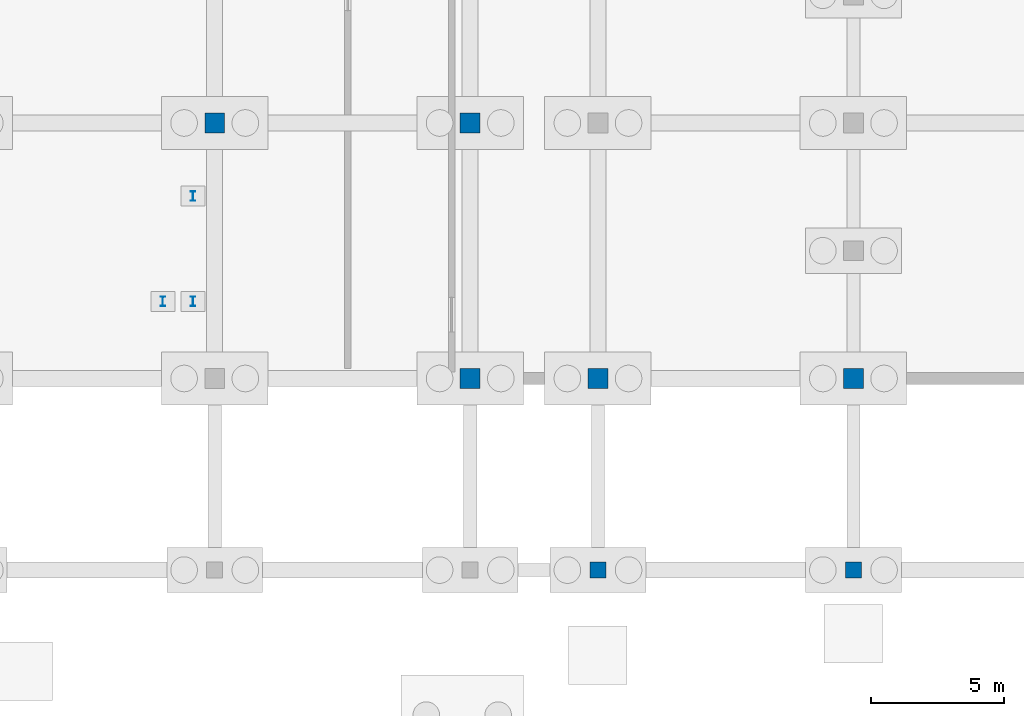
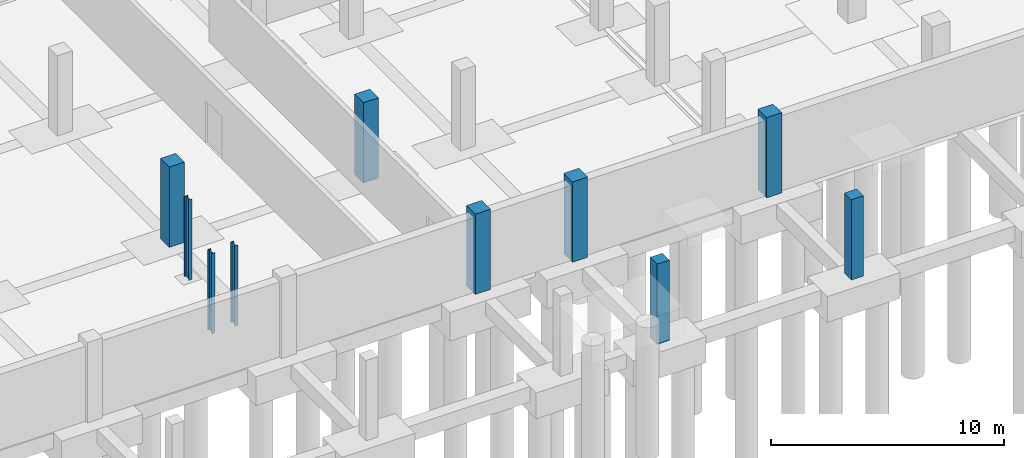
# One storey, part 17 of 54: 10 columns.
"""IFC4 building model written with IfcOpenShell, lengths in metres."""

from ifc_helpers import new_model, si_unit, direction, frame, origin, origin_2d, place, context, subcontext, project, spatial, rectangle, i_section, extrude, material, material_profile, profile_set, type_object, element, save


model = new_model("IFC4")

# Units and contexts
model_context = context("Model", 3, precision=1e-05, world=origin(), true_north=direction((0.0, 1.0)))
body_context = subcontext(model_context, "Body", "Model", "MODEL_VIEW")
ifc_project = project(units=[si_unit("LENGTHUNIT", "METRE"), si_unit("AREAUNIT", "SQUARE_METRE"), si_unit("VOLUMEUNIT", "CUBIC_METRE"), si_unit("PLANEANGLEUNIT", "RADIAN"), si_unit("MASSUNIT", "GRAM", prefix="KILO")], contexts=[model_context])

# Site, building, storey
site_placement = place(None, origin())
site = spatial("IfcSite", under=ifc_project, at=site_placement, CompositionType="ELEMENT")
building_placement = place(site_placement, origin())
building = spatial("IfcBuilding", under=site, at=building_placement, Name="Zevrakil Square Congress Hotel", CompositionType="ELEMENT")
storey_placement = place(building_placement, frame((0.0, 0.0, -8.39990234375)))
storey = spatial("IfcBuildingStorey", under=building, at=storey_placement, Name="B2", CompositionType="ELEMENT", Elevation=-8.39990234375)

# Columns
ifc_material_1 = material(Name="Steel S355", Category="steel")
ifc_material_profile_1 = material_profile(ifc_material_1, i_section(OverallWidth=0.169921875, OverallDepth=0.360107421875, WebThickness=0.008056640625, FlangeThickness=0.0126953125, FilletRadius=0.01806640625, at=origin_2d()), Name="IPE 360")
ifc_profile_set_1 = profile_set([ifc_material_profile_1], Name="Steel S355")
column_type_1 = type_object("IfcColumnType", Name="COL-PILASTER-SHS180", PredefinedType="PILASTER", material=ifc_profile_set_1)
for number, where, z_axis, x_axis, name in (
    (1, (91.64990234375, 10.10009765625, 0.0), (0.0, 0.0, 1.0), (1.0, 0.0, 0.0), "B2 ST15 stair shaft post 1"),
    (2, (92.780029296875, 10.10009765625, 0.0), (0.0, 0.0, 1.0), (1.0, 0.0, 0.0), "B2 ST15 stair shaft post 2"),
    (3, (92.780029296875, 14.050048828125, 0.0), (0.0, 0.0, 1.0), (1.0, 0.0, 0.0), "B2 ST15 stair shaft post 3"),
):
    element("IfcColumn", number, at=place(storey_placement, frame(where, z_axis=z_axis, x_axis=x_axis)), inside=storey, type_object=column_type_1, Name=name, PredefinedType="PILASTER", context=body_context, shape_type="SweptSolid", body=[
        extrude(i_section(OverallWidth=0.169921875, OverallDepth=0.360107421875, WebThickness=0.008056640625, FlangeThickness=0.0126953125, FilletRadius=0.01806640625, at=origin_2d()), origin(), (0.0, 0.0, 1.0), 4.199951171875),
    ])
ifc_material_2 = material(Name="Concrete C40/50", Category="concrete")
ifc_material_profile_2 = material_profile(ifc_material_2, rectangle(XDim=0.60009765625, YDim=0.60009765625, at=origin_2d()), Name="RC 600x600")
ifc_profile_set_2 = profile_set([ifc_material_profile_2], Name="Concrete C40/50")
column_type_2 = type_object("IfcColumnType", Name="COL-RC600", PredefinedType="COLUMN", material=ifc_profile_set_2)
for number, where, z_axis, x_axis, name in (
    (4, (108.0, 0.0, 0.0), (0.0, 0.0, 1.0), (1.0, 0.0, 0.0), "B2 column C-163"),
    (5, (117.60009765625, 0.0, 0.0), (0.0, 0.0, 1.0), (1.0, 0.0, 0.0), "B2 column C-177"),
):
    element("IfcColumn", number, at=place(storey_placement, frame(where, z_axis=z_axis, x_axis=x_axis)), inside=storey, type_object=column_type_2, Name=name, PredefinedType="COLUMN", context=body_context, shape_type="SweptSolid", body=[
        extrude(rectangle(XDim=0.60009765625, YDim=0.60009765625, at=origin_2d()), origin(), (0.0, 0.0, 1.0), 4.199951171875),
    ])
ifc_material_3 = material(Name="Concrete C40/50", Category="concrete")
ifc_material_profile_3 = material_profile(ifc_material_3, rectangle(XDim=0.75, YDim=0.75, at=origin_2d()), Name="RC 750x750")
ifc_profile_set_3 = profile_set([ifc_material_profile_3], Name="Concrete C40/50")
column_type_3 = type_object("IfcColumnType", Name="COL-RC750", PredefinedType="COLUMN", material=ifc_profile_set_3)
for number, where, z_axis, x_axis, name in (
    (6, (93.60009765625, 16.800048828125, 0.0), (0.0, 0.0, 1.0), (1.0, 0.0, 0.0), "B2 column C-139"),
    (7, (103.199951171875, 7.199951171875, 0.0), (0.0, 0.0, 1.0), (1.0, 0.0, 0.0), "B2 column C-150"),
    (8, (103.199951171875, 16.800048828125, 0.0), (0.0, 0.0, 1.0), (1.0, 0.0, 0.0), "B2 column C-151"),
    (9, (108.0, 7.199951171875, 0.0), (0.0, 0.0, 1.0), (1.0, 0.0, 0.0), "B2 column C-164"),
    (10, (117.60009765625, 7.199951171875, 0.0), (0.0, 0.0, 1.0), (1.0, 0.0, 0.0), "B2 column C-178"),
):
    element("IfcColumn", number, at=place(storey_placement, frame(where, z_axis=z_axis, x_axis=x_axis)), inside=storey, type_object=column_type_3, Name=name, PredefinedType="COLUMN", context=body_context, shape_type="SweptSolid", body=[
        extrude(rectangle(XDim=0.75, YDim=0.75, at=origin_2d()), origin(), (0.0, 0.0, 1.0), 4.199951171875),
    ])

save(model, "model.ifc")
